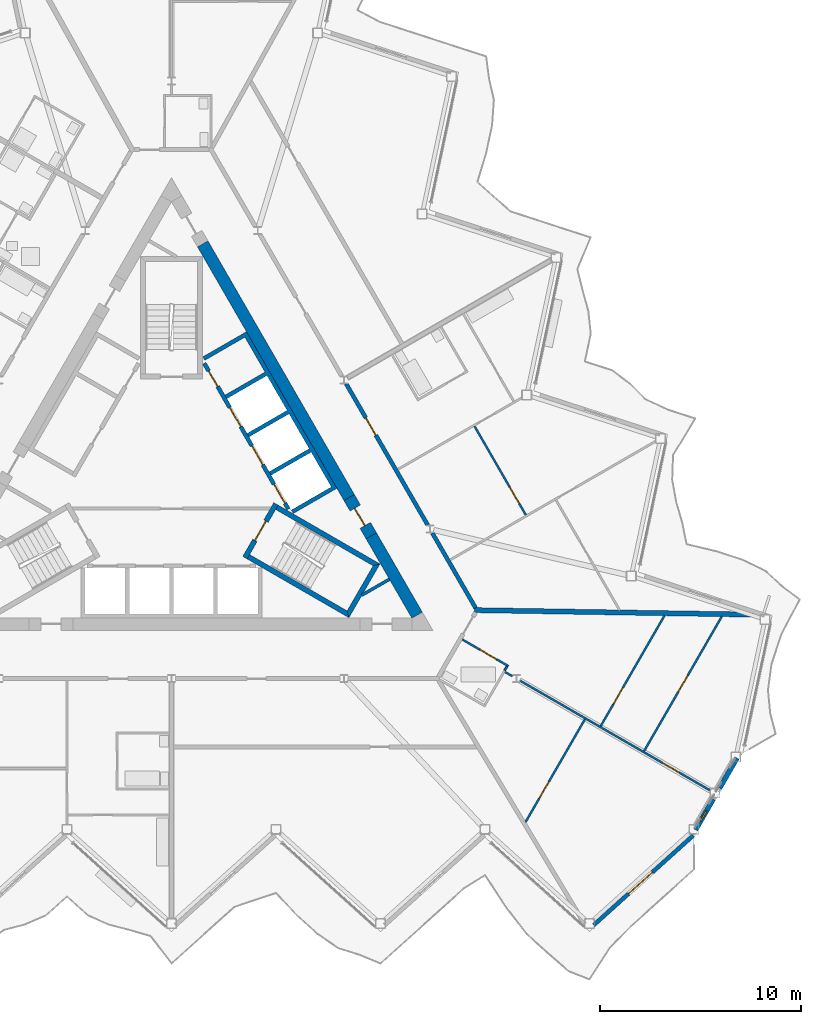
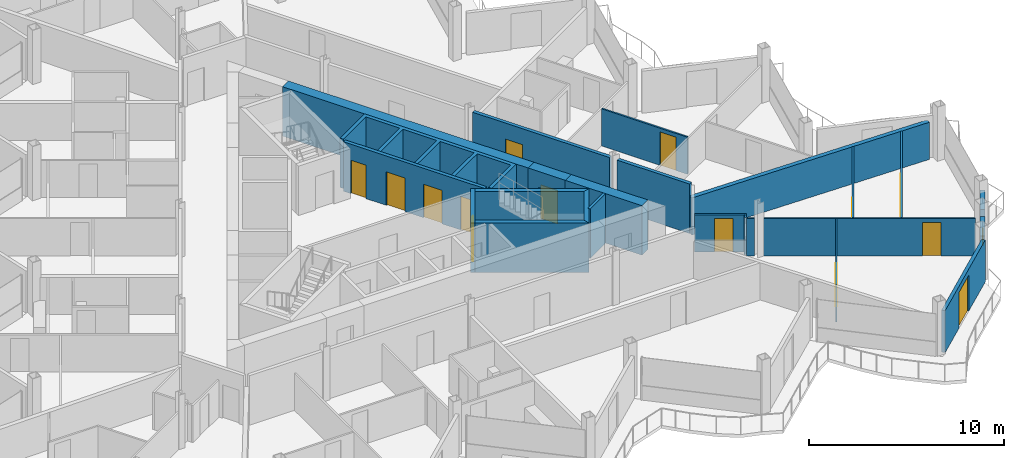
# One storey, part 15 of 26: 24 walls, 14 doors, 1 window, 15 openings.
"""IFC4 building model written with IfcOpenShell, lengths in metres."""

from ifc_helpers import new_model, si_unit, direction, frame, frame_2d, origin, place, context, subcontext, project, spatial, polyline, rectangle, outline, extrude, material, layer, layer_set, type_object, element, fill, save


model = new_model("IFC4")

# Units and contexts
model_context = context("Model", 3, precision=1e-05, world=origin(), true_north=direction((0.0, 1.0)))
body_context = subcontext(model_context, "Body", "Model", "MODEL_VIEW")
ifc_project = project(units=[si_unit("LENGTHUNIT", "METRE"), si_unit("AREAUNIT", "SQUARE_METRE"), si_unit("VOLUMEUNIT", "CUBIC_METRE"), si_unit("PLANEANGLEUNIT", "RADIAN"), si_unit("MASSUNIT", "GRAM", prefix="KILO")], contexts=[model_context])

# Site, building, storey
site_placement = place(None, origin())
site = spatial("IfcSite", under=ifc_project, at=site_placement, CompositionType="ELEMENT")
building_placement = place(site_placement, origin())
building = spatial("IfcBuilding", under=site, at=building_placement, Name="Cormorant Prow Tower", CompositionType="ELEMENT")
storey_placement = place(building_placement, frame((0.0, 0.0, 384.800048828125)))
storey = spatial("IfcBuildingStorey", under=building, at=storey_placement, Name="L87", CompositionType="ELEMENT", Elevation=384.800048828125)

# Walls
ifc_material_1 = material(Name="Gypsum board partition")
ifc_layer_1 = layer(ifc_material_1, 0.14990234375)
ifc_layer_set_1 = layer_set([ifc_layer_1], Name="Gypsum board partition")
wall_type_1 = type_object("IfcWallType", Name="Core partition 150", PredefinedType="PARTITIONING", material=ifc_layer_set_1)
wall_1_placement = place(storey_placement, frame((10.841796875, -4.96728515625, 0.0), z_axis=(0.0, 0.0, 1.0), x_axis=(-0.866098216386, -0.499873863663, 0.0)))
element("IfcWall", 1, at=wall_1_placement, inside=storey, type_object=wall_type_1, Name="Service room partition", PredefinedType="PARTITIONING", context=body_context, shape_type="SweptSolid", body=[
    extrude(rectangle(XDim=1.58203125, YDim=0.14990234375, at=frame_2d((0.791015625, 0.0))), origin(), (0.0, 0.0, 1.0), 3.099853515625),
])
ifc_material_2 = material(Name="Concrete 8000 psi", Category="concrete")
ifc_layer_2 = layer(ifc_material_2, 0.60009765625)
ifc_layer_set_2 = layer_set([ifc_layer_2], Name="Concrete 8000 psi")
wall_type_2 = type_object("IfcWallType", Name="Core shear wall 600", PredefinedType="SHEAR", material=ifc_layer_set_2)
wall_2_placement = place(storey_placement, frame((8.841064453125, -0.902099609375, 0.0), z_axis=(0.0, 0.0, 1.0), x_axis=(-0.499995618375, 0.866027933502, 0.0)))
element("IfcWall", 2, at=wall_2_placement, inside=storey, type_object=wall_type_2, Name="Core wall", PredefinedType="SHEAR", context=body_context, shape_type="SweptSolid", body=[
    extrude(rectangle(XDim=14.570556640625, YDim=0.60009765625, at=frame_2d((7.28515625, 0.0))), origin(), (0.0, 0.0, 1.0), 3.099853515625),
])
wall_3_placement = place(storey_placement, frame((12.220703125, -6.755615234375, 0.0), z_axis=(0.0, 0.0, 1.0), x_axis=(-0.500020646047, 0.866013483456, 0.0)))
element("IfcWall", 3, at=wall_3_placement, inside=storey, type_object=wall_type_2, Name="Core wall", PredefinedType="SHEAR", context=body_context, shape_type="SweptSolid", body=[
    extrude(rectangle(XDim=4.559326171875, YDim=0.60009765625, at=frame_2d((2.27978515625, 0.0))), origin(), (0.0, 0.0, 1.0), 3.099853515625),
])

# Wall, opening, door
wall_4_placement = place(storey_placement, frame((9.94091796875, -2.80712890625, 0.0), z_axis=(0.0, 0.0, 1.0), x_axis=(-0.499994660107, 0.866028486751, 0.0)))
wall_4 = element("IfcWall", 4, at=wall_4_placement, inside=storey, type_object=wall_type_2, Name="Core wall door panel", PredefinedType="SHEAR", context=body_context, shape_type="SweptSolid", body=[
    extrude(rectangle(XDim=2.19970703125, YDim=0.60009765625, at=frame_2d((1.099853515625, 0.0))), origin(), (0.0, 0.0, 1.0), 3.099853515625),
])
opening_1_placement = place(wall_4_placement, frame((0.60009765625, 0.0, 0.0)))
opening_1 = element("IfcOpeningElement", 5, at=opening_1_placement, cuts=wall_4, Name="Opening L87-C17", PredefinedType="OPENING", context=body_context, shape_type="SweptSolid", body=[
    extrude(rectangle(XDim=1.0, YDim=2.10009765625, at=frame_2d((0.5, 1.050048828125))), frame((0.0, 0.31005859375, 0.0), z_axis=(0.0, -1.0, 0.0), x_axis=(1.0, 0.0, 0.0)), (0.0, 0.0, 1.0), 0.6201171875),
])
ifc_material_3 = material(Name="Painted steel", Category="steel")
door_type_1 = type_object("IfcDoorType", Name="Service door 1000x2100", OperationType="NOTDEFINED", PredefinedType="DOOR", material=ifc_material_3)
door_1_placement = place(opening_1_placement, origin())
door_1 = element("IfcDoor", 6, at=door_1_placement, inside=storey, type_object=door_type_1, Name="Core door, Electrical room", OperationType="SINGLE_SWING_LEFT", OverallHeight=2.10009765625, OverallWidth=1.0, PredefinedType="DOOR", context=body_context, shape_type="SweptSolid", body=[
    extrude(rectangle(XDim=1.0, YDim=2.10009765625, at=frame_2d((0.5, 1.050048828125))), frame((0.0, 0.05517578125, 0.0), z_axis=(0.0, -1.0, 0.0), x_axis=(1.0, 0.0, 0.0)), (0.0, 0.0, 1.0), 0.050048828125),
])
fill(opening_1, door_1)

ifc_material_4 = material(Name="Gypsum board corridor wall")
ifc_layer_3 = layer(ifc_material_4, 0.199951171875)
ifc_layer_set_3 = layer_set([ifc_layer_3], Name="Gypsum board corridor wall")
wall_type_3 = type_object("IfcWallType", Name="Corridor wall 200", PredefinedType="PARTITIONING", material=ifc_layer_set_3)
wall_5_placement = place(storey_placement, frame((8.692138671875, 4.755859375, 0.0), z_axis=(0.0, 0.0, 1.0), x_axis=(0.500001682468, -0.866024432409, 0.0)))
wall_5 = element("IfcWall", 7, at=wall_5_placement, inside=storey, type_object=wall_type_3, Name="Corridor wall", PredefinedType="PARTITIONING", context=body_context, shape_type="SweptSolid", body=[
    extrude(rectangle(XDim=8.12353515625, YDim=0.199951171875, at=frame_2d((4.061767578125, 0.0))), origin(), (0.0, 0.0, 1.0), 3.099853515625),
])
opening_2_placement = place(wall_5_placement, frame((1.9560546875, 0.0, 0.0)))
opening_2 = element("IfcOpeningElement", 8, at=opening_2_placement, cuts=wall_5, Name="Opening L87-F16", PredefinedType="OPENING", context=body_context, shape_type="SweptSolid", body=[
    extrude(rectangle(XDim=1.0, YDim=2.10009765625, at=frame_2d((0.5, 1.050048828125))), frame((0.0, 0.10986328125, 0.0), z_axis=(0.0, -1.0, 0.0), x_axis=(1.0, 0.0, 0.0)), (0.0, 0.0, 1.0), 0.219970703125),
])
ifc_material_5 = material(Name="Timber door leaf", Category="wood")
door_type_2 = type_object("IfcDoorType", Name="Flat or room entrance door 1000x2100", OperationType="NOTDEFINED", PredefinedType="DOOR", material=ifc_material_5)
door_2_placement = place(opening_2_placement, origin())
door_2 = element("IfcDoor", 9, at=door_2_placement, inside=storey, type_object=door_type_2, Name="Living room door", OperationType="SINGLE_SWING_LEFT", OverallHeight=2.10009765625, OverallWidth=1.0, PredefinedType="DOOR", context=body_context, shape_type="SweptSolid", body=[
    extrude(rectangle(XDim=1.0, YDim=2.10009765625, at=frame_2d((0.5, 1.050048828125))), frame((0.0, 0.02490234375, 0.0), z_axis=(0.0, -1.0, 0.0), x_axis=(1.0, 0.0, 0.0)), (0.0, 0.0, 1.0), 0.050048828125),
])
fill(opening_2, door_2)

# Wall
wall_6_placement = place(storey_placement, frame((12.9814453125, -2.67333984375, 0.0), z_axis=(0.0, 0.0, 1.0), x_axis=(0.499986217557, -0.866033360935, 0.0)))
element("IfcWall", 10, at=wall_6_placement, inside=storey, type_object=wall_type_3, Name="Corridor wall", PredefinedType="PARTITIONING", context=body_context, shape_type="SweptSolid", body=[
    extrude(rectangle(XDim=4.2998046875, YDim=0.199951171875, at=frame_2d((2.14990234375, 0.0))), origin(), (0.0, 0.0, 1.0), 3.099853515625),
])

# Wall, opening, door
ifc_material_6 = material(Name="Gypsum board partition")
ifc_layer_4 = layer(ifc_material_6, 0.10009765625)
ifc_layer_set_4 = layer_set([ifc_layer_4], Name="Gypsum board partition")
wall_type_4 = type_object("IfcWallType", Name="Internal partition 100", PredefinedType="PARTITIONING", material=ifc_layer_set_4)
wall_7_placement = place(storey_placement, frame((17.35400390625, -10.019287109375, 0.0), z_axis=(0.0, 0.0, 1.0), x_axis=(0.866019680922, -0.500009912158, 0.0)))
wall_7 = element("IfcWall", 11, at=wall_7_placement, inside=storey, type_object=wall_type_4, Name="Internal partition", PredefinedType="PARTITIONING", context=body_context, shape_type="SweptSolid", body=[
    extrude(rectangle(XDim=10.880615234375, YDim=0.10009765625, at=frame_2d((5.4404296875, 0.0))), origin(), (0.0, 0.0, 1.0), 2.330078125),
])
opening_3_placement = place(wall_7_placement, frame((8.17578125, 0.0, 0.0)))
opening_3 = element("IfcOpeningElement", 12, at=opening_3_placement, cuts=wall_7, Name="Opening L87-F14", PredefinedType="OPENING", context=body_context, shape_type="SweptSolid", body=[
    extrude(rectangle(XDim=0.949951171875, YDim=2.10009765625, at=frame_2d((0.47509765625, 1.050048828125))), frame((0.0, 0.06005859375, 0.0), z_axis=(0.0, -1.0, 0.0), x_axis=(1.0, 0.0, 0.0)), (0.0, 0.0, 1.0), 0.1201171875),
])
ifc_material_7 = material(Name="Timber door leaf", Category="wood")
door_type_3 = type_object("IfcDoorType", Name="Bathroom door 950x2100", OperationType="NOTDEFINED", PredefinedType="DOOR", material=ifc_material_7)
door_3_placement = place(opening_3_placement, origin())
door_3 = element("IfcDoor", 13, at=door_3_placement, inside=storey, type_object=door_type_3, Name="Dining room door", OperationType="SINGLE_SWING_LEFT", OverallHeight=2.10009765625, OverallWidth=0.949951171875, PredefinedType="DOOR", context=body_context, shape_type="SweptSolid", body=[
    extrude(rectangle(XDim=0.949951171875, YDim=2.10009765625, at=frame_2d((0.47509765625, 1.050048828125))), frame((0.0, 0.02490234375, 0.0), z_axis=(0.0, -1.0, 0.0), x_axis=(1.0, 0.0, 0.0)), (0.0, 0.0, 1.0), 0.050048828125),
])
fill(opening_3, door_3)

wall_8_placement = place(storey_placement, frame((23.51171875, -13.516845703125, 0.0), z_axis=(0.0, 0.0, 1.0), x_axis=(0.49998445949, 0.866034375916, 0.0)))
wall_8 = element("IfcWall", 14, at=wall_8_placement, inside=storey, type_object=wall_type_4, Name="Internal partition", PredefinedType="PARTITIONING", context=body_context, shape_type="SweptSolid", body=[
    extrude(rectangle(XDim=7.743408203125, YDim=0.10009765625, at=frame_2d((3.87158203125, 0.0))), origin(), (0.0, 0.0, 1.0), 2.330078125),
])
opening_4_placement = place(wall_8_placement, frame((3.396728515625, 0.0, 0.0)))
opening_4 = element("IfcOpeningElement", 15, at=opening_4_placement, cuts=wall_8, Name="Opening L87-F13", PredefinedType="OPENING", context=body_context, shape_type="SweptSolid", body=[
    extrude(rectangle(XDim=0.949951171875, YDim=2.10009765625, at=frame_2d((0.47509765625, 1.050048828125))), frame((0.0, 0.06005859375, 0.0), z_axis=(0.0, -1.0, 0.0), x_axis=(1.0, 0.0, 0.0)), (0.0, 0.0, 1.0), 0.1201171875),
])
door_4_placement = place(opening_4_placement, origin())
door_4 = element("IfcDoor", 16, at=door_4_placement, inside=storey, type_object=door_type_3, Name="Kitchen door", OperationType="SINGLE_SWING_RIGHT", OverallHeight=2.10009765625, OverallWidth=0.949951171875, PredefinedType="DOOR", context=body_context, shape_type="SweptSolid", body=[
    extrude(rectangle(XDim=0.949951171875, YDim=2.10009765625, at=frame_2d((0.47509765625, 1.050048828125))), frame((0.0, 0.02490234375, 0.0), z_axis=(0.0, -1.0, 0.0), x_axis=(1.0, 0.0, 0.0)), (0.0, 0.0, 1.0), 0.050048828125),
])
fill(opening_4, door_4)

wall_9_placement = place(storey_placement, frame((21.3544921875, -12.271240234375, 0.0), z_axis=(0.0, 0.0, 1.0), x_axis=(0.499983931063, 0.866034680991, 0.0)))
wall_9 = element("IfcWall", 17, at=wall_9_placement, inside=storey, type_object=wall_type_4, Name="Internal partition", PredefinedType="PARTITIONING", context=body_context, shape_type="SweptSolid", body=[
    extrude(rectangle(XDim=6.358154296875, YDim=0.10009765625, at=frame_2d((3.17919921875, 0.0))), origin(), (0.0, 0.0, 1.0), 2.330078125),
])
opening_5_placement = place(wall_9_placement, frame((1.251708984375, 0.0, 0.0)))
opening_5 = element("IfcOpeningElement", 18, at=opening_5_placement, cuts=wall_9, Name="Opening L87-F12", PredefinedType="OPENING", context=body_context, shape_type="SweptSolid", body=[
    extrude(rectangle(XDim=0.949951171875, YDim=2.10009765625, at=frame_2d((0.47509765625, 1.050048828125))), frame((0.0, 0.06005859375, 0.0), z_axis=(0.0, -1.0, 0.0), x_axis=(1.0, 0.0, 0.0)), (0.0, 0.0, 1.0), 0.1201171875),
])
door_5_placement = place(opening_5_placement, origin())
door_5 = element("IfcDoor", 19, at=door_5_placement, inside=storey, type_object=door_type_3, Name="Living room door", OperationType="SINGLE_SWING_RIGHT", OverallHeight=2.10009765625, OverallWidth=0.949951171875, PredefinedType="DOOR", context=body_context, shape_type="SweptSolid", body=[
    extrude(rectangle(XDim=0.949951171875, YDim=2.10009765625, at=frame_2d((0.47509765625, 1.050048828125))), frame((0.0, 0.02490234375, 0.0), z_axis=(0.0, -1.0, 0.0), x_axis=(1.0, 0.0, 0.0)), (0.0, 0.0, 1.0), 0.050048828125),
])
fill(opening_5, door_5)

wall_10_placement = place(storey_placement, frame((17.61279296875, -17.05078125, 0.0), z_axis=(0.0, 0.0, 1.0), x_axis=(0.499982307286, 0.866035618437, 0.0)))
wall_10 = element("IfcWall", 20, at=wall_10_placement, inside=storey, type_object=wall_type_4, Name="Internal partition", PredefinedType="PARTITIONING", context=body_context, shape_type="SweptSolid", body=[
    extrude(rectangle(XDim=5.909912109375, YDim=0.10009765625, at=frame_2d((2.955078125, 0.0))), origin(), (0.0, 0.0, 1.0), 2.330078125),
])
opening_6_placement = place(wall_10_placement, frame((1.364990234375, 0.0, 0.0)))
opening_6 = element("IfcOpeningElement", 21, at=opening_6_placement, cuts=wall_10, Name="Opening L87-F15", PredefinedType="OPENING", context=body_context, shape_type="SweptSolid", body=[
    extrude(rectangle(XDim=0.949951171875, YDim=2.10009765625, at=frame_2d((0.47509765625, 1.050048828125))), frame((0.0, 0.06005859375, 0.0), z_axis=(0.0, -1.0, 0.0), x_axis=(1.0, 0.0, 0.0)), (0.0, 0.0, 1.0), 0.1201171875),
])
door_6_placement = place(opening_6_placement, origin())
door_6 = element("IfcDoor", 22, at=door_6_placement, inside=storey, type_object=door_type_3, Name="Principal bedroom door", OperationType="SINGLE_SWING_LEFT", OverallHeight=2.10009765625, OverallWidth=0.949951171875, PredefinedType="DOOR", context=body_context, shape_type="SweptSolid", body=[
    extrude(rectangle(XDim=0.949951171875, YDim=2.10009765625, at=frame_2d((0.47509765625, 1.050048828125))), frame((0.0, 0.02490234375, 0.0), z_axis=(0.0, -1.0, 0.0), x_axis=(1.0, 0.0, 0.0)), (0.0, 0.0, 1.0), 0.050048828125),
])
fill(opening_6, door_6)

wall_11_placement = place(storey_placement, frame((15.07958984375, 2.64404296875, 0.0), z_axis=(0.0, 0.0, 1.0), x_axis=(0.500005610874, -0.86602216432, 0.0)))
wall_11 = element("IfcWall", 23, at=wall_11_placement, inside=storey, type_object=wall_type_4, Name="Internal partition", PredefinedType="PARTITIONING", context=body_context, shape_type="SweptSolid", body=[
    extrude(rectangle(XDim=5.10009765625, YDim=0.10009765625, at=frame_2d((2.550048828125, 0.0))), origin(), (0.0, 0.0, 1.0), 2.330078125),
])
opening_7_placement = place(wall_11_placement, frame((3.494384765625, 0.0, 0.0)))
opening_7 = element("IfcOpeningElement", 24, at=opening_7_placement, cuts=wall_11, Name="Opening L87-F20", PredefinedType="OPENING", context=body_context, shape_type="SweptSolid", body=[
    extrude(rectangle(XDim=0.949951171875, YDim=2.10009765625, at=frame_2d((0.47509765625, 1.050048828125))), frame((0.0, 0.06005859375, 0.0), z_axis=(0.0, -1.0, 0.0), x_axis=(1.0, 0.0, 0.0)), (0.0, 0.0, 1.0), 0.1201171875),
])
door_7_placement = place(opening_7_placement, origin())
door_7 = element("IfcDoor", 25, at=door_7_placement, inside=storey, type_object=door_type_3, Name="Bedroom door", OperationType="SINGLE_SWING_RIGHT", OverallHeight=2.10009765625, OverallWidth=0.949951171875, PredefinedType="DOOR", context=body_context, shape_type="SweptSolid", body=[
    extrude(rectangle(XDim=0.949951171875, YDim=2.10009765625, at=frame_2d((0.47509765625, 1.050048828125))), frame((0.0, 0.02490234375, 0.0), z_axis=(0.0, -1.0, 0.0), x_axis=(1.0, 0.0, 0.0)), (0.0, 0.0, 1.0), 0.050048828125),
])
fill(opening_7, door_7)

wall_12_placement = place(storey_placement, frame((14.467529296875, -7.963623046875, 0.0), z_axis=(0.0, 0.0, 1.0), x_axis=(0.86603978909, -0.499975083092, 0.0)))
wall_12 = element("IfcWall", 26, at=wall_12_placement, inside=storey, type_object=wall_type_4, Name="Internal partition", PredefinedType="PARTITIONING", context=body_context, shape_type="SweptSolid", body=[
    extrude(rectangle(XDim=2.649169921875, YDim=0.10009765625, at=frame_2d((1.32470703125, 0.0))), origin(), (0.0, 0.0, 1.0), 2.330078125),
])
opening_8_placement = place(wall_12_placement, frame((1.01318359375, 0.0, 0.0)))
opening_8 = element("IfcOpeningElement", 27, at=opening_8_placement, cuts=wall_12, Name="Opening L87-F11", PredefinedType="OPENING", context=body_context, shape_type="SweptSolid", body=[
    extrude(rectangle(XDim=0.949951171875, YDim=2.10009765625, at=frame_2d((0.47509765625, 1.050048828125))), frame((0.0, 0.06005859375, 0.0), z_axis=(0.0, -1.0, 0.0), x_axis=(1.0, 0.0, 0.0)), (0.0, 0.0, 1.0), 0.1201171875),
])
door_8_placement = place(opening_8_placement, origin())
door_8 = element("IfcDoor", 28, at=door_8_placement, inside=storey, type_object=door_type_3, Name="Living room door", OperationType="SINGLE_SWING_RIGHT", OverallHeight=2.10009765625, OverallWidth=0.949951171875, PredefinedType="DOOR", context=body_context, shape_type="SweptSolid", body=[
    extrude(rectangle(XDim=0.949951171875, YDim=2.10009765625, at=frame_2d((0.47509765625, 1.050048828125))), frame((0.0, 0.02490234375, 0.0), z_axis=(0.0, -1.0, 0.0), x_axis=(1.0, 0.0, 0.0)), (0.0, 0.0, 1.0), 0.050048828125),
])
fill(opening_8, door_8)

# Walls
wall_13_placement = place(storey_placement, frame((16.593994140625, -9.58056640625, 0.0), z_axis=(0.0, 0.0, 1.0), x_axis=(0.866137484628, -0.499805820016, 0.0)))
element("IfcWall", 29, at=wall_13_placement, inside=storey, type_object=wall_type_4, Name="Internal partition", PredefinedType="PARTITIONING", context=body_context, shape_type="SweptSolid", body=[
    extrude(rectangle(XDim=0.422607421875, YDim=0.10009765625, at=frame_2d((0.21142578125, 0.0))), origin(), (0.0, 0.0, 1.0), 2.330078125),
])
wall_14_placement = place(storey_placement, frame((16.581787109375, -9.501220703125, 0.0), z_axis=(0.0, 0.0, 1.0), x_axis=(0.498246276801, 0.867035551551, 0.0)))
element("IfcWall", 30, at=wall_14_placement, inside=storey, type_object=wall_type_4, Name="Internal partition", PredefinedType="PARTITIONING", context=body_context, shape_type="SweptSolid", body=[
    extrude(rectangle(XDim=0.224365234375, YDim=0.10009765625, at=frame_2d((0.1123046875, 0.0))), origin(), (0.0, 0.0, 1.0), 2.330078125),
])

# Wall, openings, doors
ifc_material_8 = material(Name="Concrete 5000 psi", Category="concrete")
ifc_layer_5 = layer(ifc_material_8, 0.199951171875)
ifc_layer_set_5 = layer_set([ifc_layer_5], Name="Concrete 5000 psi")
wall_type_5 = type_object("IfcWallType", Name="Lift lobby wall 200", PredefinedType="SOLIDWALL", material=ifc_layer_set_5)
wall_15_placement = place(storey_placement, frame((5.817138671875, -1.4755859375, 0.0), z_axis=(0.0, 0.0, 1.0), x_axis=(-0.500002616675, 0.866023893041, 0.0)))
wall_15 = element("IfcWall", 31, at=wall_15_placement, inside=storey, type_object=wall_type_5, Name="Lift lobby wall, ENE block", PredefinedType="SOLIDWALL", context=body_context, shape_type="SweptSolid", body=[
    extrude(rectangle(XDim=8.373046875, YDim=0.199951171875, at=frame_2d((4.1865234375, 0.0))), origin(), (0.0, 0.0, 1.0), 3.099853515625),
])
opening_9_placement = place(wall_15_placement, frame((0.336669921875, 0.0, 0.0)))
opening_9 = element("IfcOpeningElement", 32, at=opening_9_placement, cuts=wall_15, Name="Opening L87-C05", PredefinedType="OPENING", context=body_context, shape_type="SweptSolid", body=[
    extrude(rectangle(XDim=1.10009765625, YDim=2.10009765625, at=frame_2d((0.550048828125, 1.050048828125))), frame((0.0, 0.10986328125, 0.0), z_axis=(0.0, -1.0, 0.0), x_axis=(1.0, 0.0, 0.0)), (0.0, 0.0, 1.0), 0.219970703125),
])
opening_10_placement = place(wall_15_placement, frame((2.53662109375, 0.0, 0.0)))
opening_10 = element("IfcOpeningElement", 33, at=opening_10_placement, cuts=wall_15, Name="Opening L87-C06", PredefinedType="OPENING", context=body_context, shape_type="SweptSolid", body=[
    extrude(rectangle(XDim=1.10009765625, YDim=2.10009765625, at=frame_2d((0.550048828125, 1.050048828125))), frame((0.0, 0.10986328125, 0.0), z_axis=(0.0, -1.0, 0.0), x_axis=(1.0, 0.0, 0.0)), (0.0, 0.0, 1.0), 0.219970703125),
])
opening_11_placement = place(wall_15_placement, frame((4.736572265625, 0.0, 0.0)))
opening_11 = element("IfcOpeningElement", 34, at=opening_11_placement, cuts=wall_15, Name="Opening L87-C07", PredefinedType="OPENING", context=body_context, shape_type="SweptSolid", body=[
    extrude(rectangle(XDim=1.10009765625, YDim=2.10009765625, at=frame_2d((0.550048828125, 1.050048828125))), frame((0.0, 0.10986328125, 0.0), z_axis=(0.0, -1.0, 0.0), x_axis=(1.0, 0.0, 0.0)), (0.0, 0.0, 1.0), 0.219970703125),
])
opening_12_placement = place(wall_15_placement, frame((7.03662109375, 0.0, 0.0)))
opening_12 = element("IfcOpeningElement", 35, at=opening_12_placement, cuts=wall_15, Name="Opening L87-C08", PredefinedType="OPENING", context=body_context, shape_type="SweptSolid", body=[
    extrude(rectangle(XDim=0.89990234375, YDim=2.10009765625, at=frame_2d((0.449951171875, 1.050048828125))), frame((0.0, 0.10986328125, 0.0), z_axis=(0.0, -1.0, 0.0), x_axis=(1.0, 0.0, 0.0)), (0.0, 0.0, 1.0), 0.219970703125),
])
ifc_material_9 = material(Name="Painted steel", Category="steel")
door_type_4 = type_object("IfcDoorType", Name="Lift landing door 1100x2100", OperationType="SLIDING_TO_LEFT", PredefinedType="DOOR", material=ifc_material_9)
door_9_placement = place(opening_9_placement, origin())
door_9 = element("IfcDoor", 36, at=door_9_placement, inside=storey, type_object=door_type_4, Name="Landing door HR2", OperationType="SLIDING_TO_LEFT", OverallHeight=2.10009765625, OverallWidth=1.10009765625, PredefinedType="DOOR", context=body_context, shape_type="SweptSolid", body=[
    extrude(rectangle(XDim=1.10009765625, YDim=2.10009765625, at=frame_2d((0.550048828125, 1.050048828125))), frame((0.0, 0.02490234375, 0.0), z_axis=(0.0, -1.0, 0.0), x_axis=(1.0, 0.0, 0.0)), (0.0, 0.0, 1.0), 0.050048828125),
])
fill(opening_9, door_9)
door_10_placement = place(opening_10_placement, origin())
door_10 = element("IfcDoor", 37, at=door_10_placement, inside=storey, type_object=door_type_4, Name="Landing door HR3", OperationType="SLIDING_TO_LEFT", OverallHeight=2.10009765625, OverallWidth=1.10009765625, PredefinedType="DOOR", context=body_context, shape_type="SweptSolid", body=[
    extrude(rectangle(XDim=1.10009765625, YDim=2.10009765625, at=frame_2d((0.550048828125, 1.050048828125))), frame((0.0, 0.02490234375, 0.0), z_axis=(0.0, -1.0, 0.0), x_axis=(1.0, 0.0, 0.0)), (0.0, 0.0, 1.0), 0.050048828125),
])
fill(opening_10, door_10)
door_11_placement = place(opening_11_placement, origin())
door_11 = element("IfcDoor", 38, at=door_11_placement, inside=storey, type_object=door_type_4, Name="Landing door HR4", OperationType="SLIDING_TO_LEFT", OverallHeight=2.10009765625, OverallWidth=1.10009765625, PredefinedType="DOOR", context=body_context, shape_type="SweptSolid", body=[
    extrude(rectangle(XDim=1.10009765625, YDim=2.10009765625, at=frame_2d((0.550048828125, 1.050048828125))), frame((0.0, 0.02490234375, 0.0), z_axis=(0.0, -1.0, 0.0), x_axis=(1.0, 0.0, 0.0)), (0.0, 0.0, 1.0), 0.050048828125),
])
fill(opening_11, door_11)
ifc_material_10 = material(Name="Painted steel", Category="steel")
door_type_5 = type_object("IfcDoorType", Name="Service door 900x2100", OperationType="NOTDEFINED", PredefinedType="DOOR", material=ifc_material_10)
door_12_placement = place(opening_12_placement, origin())
door_12 = element("IfcDoor", 39, at=door_12_placement, inside=storey, type_object=door_type_5, Name="Service door, Electrical room", OperationType="SINGLE_SWING_RIGHT", OverallHeight=2.10009765625, OverallWidth=0.89990234375, PredefinedType="DOOR", context=body_context, shape_type="SweptSolid", body=[
    extrude(rectangle(XDim=0.89990234375, YDim=2.10009765625, at=frame_2d((0.449951171875, 1.050048828125))), frame((0.0, 0.02490234375, 0.0), z_axis=(0.0, -1.0, 0.0), x_axis=(1.0, 0.0, 0.0)), (0.0, 0.0, 1.0), 0.050048828125),
])
fill(opening_12, door_12)

# Walls
ifc_material_11 = material(Name="Concrete 8000 psi", Category="concrete")
ifc_layer_6 = layer(ifc_material_11, 0.199951171875)
ifc_layer_set_6 = layer_set([ifc_layer_6], Name="Concrete 8000 psi")
wall_type_6 = type_object("IfcWallType", Name="Lift shaft wall 200", PredefinedType="SHEAR", material=ifc_layer_set_6)
wall_16_placement = place(storey_placement, origin())
element("IfcWall", 40, at=wall_16_placement, inside=storey, type_object=wall_type_6, Name="Lift shaft walls, ENE block", PredefinedType="SHEAR", context=body_context, shape_type="SweptSolid", body=[
    extrude(outline(polyline([(1.560546875, 6.09716796875), (3.730712890625, 7.35009765625), (8.230712890625, -0.444091796875), (6.060546875, -1.697021484375), (5.96044921875, -1.52392578125), (7.952392578125, -0.373779296875), (6.952392578125, 1.358154296875), (4.96044921875, 0.2080078125), (4.860595703125, 0.38134765625), (6.852294921875, 1.53125), (5.852294921875, 3.263427734375), (3.860595703125, 2.11328125), (3.760498046875, 2.28662109375), (5.75244140625, 3.4365234375), (4.75244140625, 5.168701171875), (2.760498046875, 4.018798828125), (2.660400390625, 4.19189453125), (4.65234375, 5.341796875), (3.65234375, 7.073974609375), (1.660400390625, 5.923828125), (1.560546875, 6.09716796875)])), origin(), (0.0, 0.0, 1.0), 3.099853515625),
])
ifc_material_12 = material(Name="Concrete 8000 psi", Category="concrete")
ifc_layer_7 = layer(ifc_material_12, 0.25)
ifc_layer_set_7 = layer_set([ifc_layer_7], Name="Concrete 8000 psi")
wall_type_7 = type_object("IfcWallType", Name="Stair wall 250", PredefinedType="SHEAR", material=ifc_layer_set_7)
wall_17_placement = place(storey_placement, origin())
element("IfcWall", 41, at=wall_17_placement, inside=storey, type_object=wall_type_7, Name="Stair ST2 enclosure wall (flank)", PredefinedType="SHEAR", context=body_context, shape_type="SweptSolid", body=[
    extrude(outline(polyline([(3.76318359375, -3.95556640625), (8.82958984375, -6.880615234375), (8.738037109375, -6.5390625), (3.88818359375, -3.739013671875), (3.76318359375, -3.95556640625)])), origin(), (0.0, 0.0, 1.0), 3.099853515625),
])
wall_18_placement = place(storey_placement, origin())
element("IfcWall", 42, at=wall_18_placement, inside=storey, type_object=wall_type_7, Name="Stair ST2 enclosure wall (end)", PredefinedType="SHEAR", context=body_context, shape_type="SweptSolid", body=[
    extrude(outline(polyline([(8.82958984375, -6.880615234375), (10.37353515625, -4.206298828125), (10.031982421875, -4.2978515625), (8.738037109375, -6.5390625), (8.82958984375, -6.880615234375)])), origin(), (0.0, 0.0, 1.0), 3.099853515625),
])
wall_19_placement = place(storey_placement, origin())
element("IfcWall", 43, at=wall_19_placement, inside=storey, type_object=wall_type_7, Name="Stair ST2 enclosure wall (flank)", PredefinedType="SHEAR", context=body_context, shape_type="SweptSolid", body=[
    extrude(outline(polyline([(10.031982421875, -4.2978515625), (10.37353515625, -4.206298828125), (5.30712890625, -1.28125), (5.18212890625, -1.497802734375), (10.031982421875, -4.2978515625)])), origin(), (0.0, 0.0, 1.0), 3.099853515625),
])

# Wall, opening, door
wall_20_placement = place(storey_placement, frame((3.655029296875, -3.89306640625, 0.0), z_axis=(0.0, 0.0, 1.0), x_axis=(0.499982516597, 0.866035497597, 0.0)))
wall_20 = element("IfcWall", 44, at=wall_20_placement, inside=storey, type_object=wall_type_7, Name="Stair ST2 door wall", PredefinedType="SHEAR", context=body_context, shape_type="SweptSolid", body=[
    extrude(rectangle(XDim=3.087890625, YDim=0.25, at=frame_2d((1.5439453125, 0.0))), origin(), (0.0, 0.0, 1.0), 3.099853515625),
])
opening_13_placement = place(wall_20_placement, frame((0.993896484375, 0.0, 0.0)))
opening_13 = element("IfcOpeningElement", 45, at=opening_13_placement, cuts=wall_20, Name="Opening L87-C13", PredefinedType="OPENING", context=body_context, shape_type="SweptSolid", body=[
    extrude(rectangle(XDim=1.10009765625, YDim=2.10009765625, at=frame_2d((0.550048828125, 1.050048828125))), frame((0.0, 0.135009765625, 0.0), z_axis=(0.0, -1.0, 0.0), x_axis=(1.0, 0.0, 0.0)), (0.0, 0.0, 1.0), 0.27001953125),
])
ifc_material_13 = material(Name="Painted steel", Category="steel")
door_type_6 = type_object("IfcDoorType", Name="Stair door 1100x2100", OperationType="NOTDEFINED", PredefinedType="DOOR", material=ifc_material_13)
door_13_placement = place(opening_13_placement, origin())
door_13 = element("IfcDoor", 46, at=door_13_placement, inside=storey, type_object=door_type_6, Name="Stair ST2 door", OperationType="SINGLE_SWING_RIGHT", OverallHeight=2.10009765625, OverallWidth=1.10009765625, PredefinedType="DOOR", context=body_context, shape_type="SweptSolid", body=[
    extrude(rectangle(XDim=1.10009765625, YDim=2.10009765625, at=frame_2d((0.550048828125, 1.050048828125))), frame((0.0, 0.02490234375, 0.0), z_axis=(0.0, -1.0, 0.0), x_axis=(1.0, 0.0, 0.0)), (0.0, 0.0, 1.0), 0.050048828125),
])
fill(opening_13, door_13)

# Wall
ifc_material_14 = material(Name="Acoustic gypsum party wall")
ifc_layer_8 = layer(ifc_material_14, 0.25)
ifc_layer_set_8 = layer_set([ifc_layer_8], Name="Acoustic gypsum party wall")
wall_type_8 = type_object("IfcWallType", Name="Suite party wall 250", PredefinedType="PARTITIONING", material=ifc_layer_set_8)
wall_21_placement = place(storey_placement, frame((15.06884765625, -6.50341796875, 0.0), z_axis=(0.0, 0.0, 1.0), x_axis=(0.999870484296, -0.016093931549, 0.0)))
element("IfcWall", 47, at=wall_21_placement, inside=storey, type_object=wall_type_8, Name="Suite party wall", PredefinedType="PARTITIONING", context=body_context, shape_type="SweptSolid", body=[
    extrude(rectangle(XDim=13.9560546875, YDim=0.25, at=frame_2d((6.97802734375, 0.0))), origin(), (0.0, 0.0, 1.0), 2.330078125),
])

# Wall, opening, window
ifc_material_15 = material(Name="Terracotta", Category="masonry")
ifc_layer_9 = layer(ifc_material_15, 0.25)
ifc_layer_set_9 = layer_set([ifc_layer_9], Name="Terracotta")
wall_type_9 = type_object("IfcWallType", Name="Terracotta bay wall 250", PredefinedType="SOLIDWALL", material=ifc_layer_set_9)
wall_22_placement = place(storey_placement, frame((26.07470703125, -17.43017578125, 0.0), z_axis=(0.0, 0.0, 1.0), x_axis=(0.500027377864, 0.86600959659, 0.0)))
wall_22 = element("IfcWall", 48, at=wall_22_placement, inside=storey, type_object=wall_type_9, Name="Terracotta bay wall ESE00", PredefinedType="SOLIDWALL", context=body_context, shape_type="SweptSolid", body=[
    extrude(rectangle(XDim=1.755859375, YDim=0.25, at=frame_2d((0.8779296875, 0.0))), origin(), (0.0, 0.0, 1.0), 2.6337890625),
])
opening_14_placement = place(wall_22_placement, frame((0.5, 0.0, 1.699951171875)))
opening_14 = element("IfcOpeningElement", 49, at=opening_14_placement, cuts=wall_22, Name="Opening WN11", PredefinedType="OPENING", context=body_context, shape_type="SweptSolid", body=[
    extrude(rectangle(XDim=0.60009765625, YDim=0.699951171875, at=frame_2d((0.300048828125, 0.35009765625))), frame((0.0, 0.135009765625, 0.0), z_axis=(0.0, -1.0, 0.0), x_axis=(1.0, 0.0, 0.0)), (0.0, 0.0, 1.0), 0.27001953125),
])
ifc_material_16 = material(Name="Aluminium 6063-T6", Category="aluminium")
window_type = type_object("IfcWindowType", Name="Corner bay window 600x700", PartitioningType="SINGLE_PANEL", PredefinedType="WINDOW", material=ifc_material_16)
window_placement = place(opening_14_placement, origin())
window = element("IfcWindow", 50, at=window_placement, inside=storey, type_object=window_type, Name="Corner bay window ESE00", OverallHeight=0.699951171875, OverallWidth=0.60009765625, PartitioningType="SINGLE_PANEL", PredefinedType="WINDOW", context=body_context, shape_type="SweptSolid", body=[
    extrude(rectangle(XDim=0.60009765625, YDim=0.699951171875, at=frame_2d((0.300048828125, 0.35009765625))), frame((0.0, 0.030029296875, 0.0), z_axis=(0.0, -1.0, 0.0), x_axis=(1.0, 0.0, 0.0)), (0.0, 0.0, 1.0), 0.06005859375),
])
fill(opening_14, window)

# Wall
wall_23_placement = place(storey_placement, frame((27.27001953125, -15.35986328125, 0.0), z_axis=(0.0, 0.0, 1.0), x_axis=(0.499975693202, 0.866039436866, 0.0)))
element("IfcWall", 51, at=wall_23_placement, inside=storey, type_object=wall_type_9, Name="Terracotta bay wall ESE01", PredefinedType="SOLIDWALL", context=body_context, shape_type="SweptSolid", body=[
    extrude(rectangle(XDim=1.724609375, YDim=0.25, at=frame_2d((0.8623046875, 0.0))), origin(), (0.0, 0.0, 1.0), 2.6337890625),
])

# Wall, opening, door
ifc_material_17 = material(Name="Terracotta", Category="masonry")
ifc_layer_10 = layer(ifc_material_17, 0.199951171875)
ifc_layer_set_10 = layer_set([ifc_layer_10], Name="Terracotta")
wall_type_10 = type_object("IfcWallType", Name="Terracotta jamb wall 200", PredefinedType="SOLIDWALL", material=ifc_layer_set_10)
wall_24_placement = place(storey_placement, frame((21.005126953125, -22.172607421875, 0.0), z_axis=(0.0, 0.0, 1.0), x_axis=(0.743135582201, 0.669140871915, 0.0)))
wall_24 = element("IfcWall", 52, at=wall_24_placement, inside=storey, type_object=wall_type_10, Name="Terracotta jamb wall S09", PredefinedType="SOLIDWALL", context=body_context, shape_type="SweptSolid", body=[
    extrude(rectangle(XDim=6.66162109375, YDim=0.199951171875, at=frame_2d((3.330810546875, 0.0))), origin(), (0.0, 0.0, 1.0), 2.6337890625),
])
opening_15_placement = place(wall_24_placement, frame((2.332763671875, 0.0, 0.0)))
opening_15 = element("IfcOpeningElement", 53, at=opening_15_placement, cuts=wall_24, Name="Opening ED87.05", PredefinedType="OPENING", context=body_context, shape_type="SweptSolid", body=[
    extrude(rectangle(XDim=1.60009765625, YDim=2.25, at=frame_2d((0.800048828125, 1.125))), frame((0.0, 0.10986328125, 0.0), z_axis=(0.0, -1.0, 0.0), x_axis=(1.0, 0.0, 0.0)), (0.0, 0.0, 1.0), 0.219970703125),
])
ifc_material_18 = material(Name="Aluminium 6063-T6", Category="aluminium")
door_type_7 = type_object("IfcDoorType", Name="Balcony door 1600x2250", OperationType="DOUBLE_DOOR_SINGLE_SWING", PredefinedType="DOOR", material=ifc_material_18)
door_14_placement = place(opening_15_placement, origin())
door_14 = element("IfcDoor", 54, at=door_14_placement, inside=storey, type_object=door_type_7, Name="Balcony door S09 ED87.05", OperationType="DOUBLE_DOOR_SINGLE_SWING", OverallHeight=2.25, OverallWidth=1.60009765625, PredefinedType="DOOR", context=body_context, shape_type="SweptSolid", body=[
    extrude(rectangle(XDim=1.60009765625, YDim=2.25, at=frame_2d((0.800048828125, 1.125))), frame((0.0, 0.02490234375, 0.0), z_axis=(0.0, -1.0, 0.0), x_axis=(1.0, 0.0, 0.0)), (0.0, 0.0, 1.0), 0.050048828125),
])
fill(opening_15, door_14)

save(model, "model.ifc")
